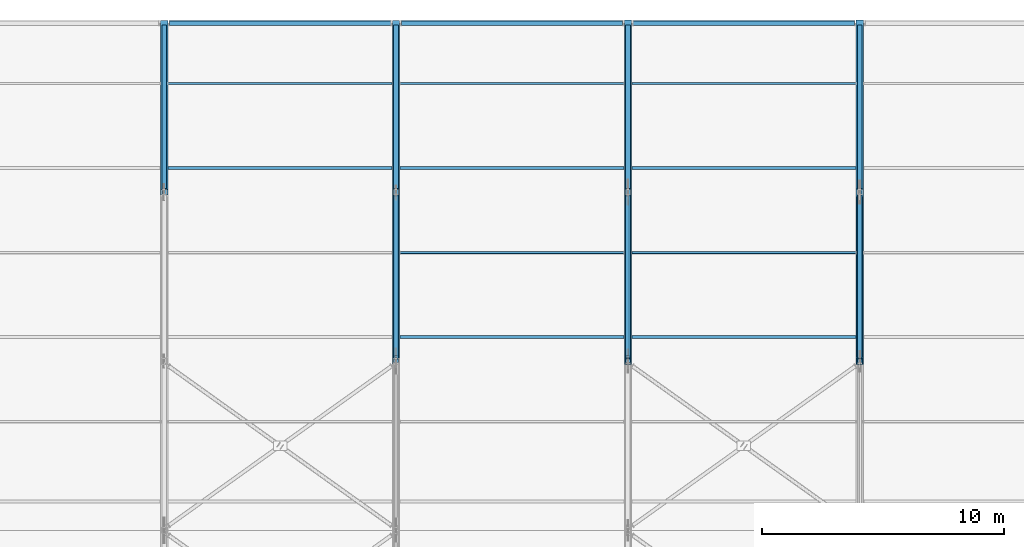
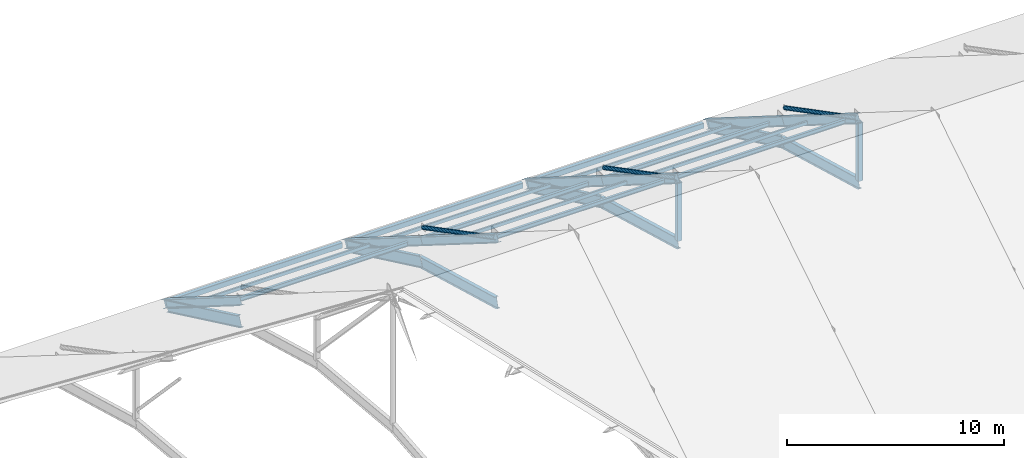
# One storey, part 13 of 66: 22 members, 10 beams.
"""IFC4 building model written with IfcOpenShell, lengths in metres."""

from ifc_helpers import new_model, si_unit, direction, frame, origin, origin_2d, place, context, subcontext, project, spatial, hollow_rectangle, hollow_circle, i_section, extrude, material, material_profile, profile_set, type_object, element, save


model = new_model("IFC4")

# Units and contexts
model_context = context("Model", 3, precision=1e-05, world=origin(), true_north=direction((0.0, 1.0)))
body_context = subcontext(model_context, "Body", "Model", "MODEL_VIEW")
ifc_project = project(units=[si_unit("LENGTHUNIT", "METRE"), si_unit("AREAUNIT", "SQUARE_METRE"), si_unit("VOLUMEUNIT", "CUBIC_METRE"), si_unit("PLANEANGLEUNIT", "RADIAN"), si_unit("MASSUNIT", "GRAM", prefix="KILO")], contexts=[model_context])

# Site, building, storey
site_placement = place(None, origin())
site = spatial("IfcSite", under=ifc_project, at=site_placement, CompositionType="ELEMENT")
building_placement = place(site_placement, origin())
building = spatial("IfcBuilding", under=site, at=building_placement, Name="Yeouljin Market Hall", CompositionType="ELEMENT")
storey_placement = place(building_placement, frame((0.0, 0.0, 23.39990234375)))
storey = spatial("IfcBuildingStorey", under=building, at=storey_placement, Name="RF", CompositionType="ELEMENT", Elevation=23.39990234375)

# Beams
ifc_material_1 = material(Name="Steel SM355", Category="steel")
ifc_material_profile_1 = material_profile(ifc_material_1, i_section(OverallWidth=0.199951171875, OverallDepth=0.60009765625, WebThickness=0.010986328125, FlangeThickness=0.01708984375, FilletRadius=0.02197265625, at=origin_2d()), Name="H-600x200x11x17")
ifc_profile_set_1 = profile_set([ifc_material_profile_1], Name="Steel SM355")
beam_type_1 = type_object("IfcBeamType", Name="Beam_H-600x200x11x17", PredefinedType="BEAM", material=ifc_profile_set_1)
beam_1_placement = place(storey_placement, frame((64.199951171875, 71.02001953125, -9.07763671875), z_axis=(0.0, 0.903192091176, -0.429236585623), x_axis=(-1.0, 0.0, 0.0)))
element("IfcBeam", 1, at=beam_1_placement, inside=storey, type_object=beam_type_1, Name="Truss AT-04 arch rib 6", PredefinedType="BEAM", context=body_context, shape_type="SweptSolid", body=[
    extrude(i_section(OverallWidth=0.199951171875, OverallDepth=0.60009765625, WebThickness=0.010986328125, FlangeThickness=0.01708984375, FilletRadius=0.02197265625, at=origin_2d()), origin(), (0.0, 0.0, 1.0), 7.5068359375),
])
beam_2_placement = place(storey_placement, frame((73.800048828125, 64.02001953125, -7.144287109375), z_axis=(0.0, 0.963516941196, -0.267647350124), x_axis=(-1.0, 0.0, 0.0)))
element("IfcBeam", 2, at=beam_2_placement, inside=storey, type_object=beam_type_1, Name="Truss AT-05 arch rib 5", PredefinedType="BEAM", context=body_context, shape_type="SweptSolid", body=[
    extrude(i_section(OverallWidth=0.199951171875, OverallDepth=0.60009765625, WebThickness=0.010986328125, FlangeThickness=0.01708984375, FilletRadius=0.02197265625, at=origin_2d()), origin(), (0.0, 0.0, 1.0), 7.223388671875),
])
beam_3_placement = place(storey_placement, frame((73.800048828125, 71.02001953125, -9.07763671875), z_axis=(0.0, 0.903192091176, -0.429236585623), x_axis=(-1.0, 0.0, 0.0)))
element("IfcBeam", 3, at=beam_3_placement, inside=storey, type_object=beam_type_1, Name="Truss AT-05 arch rib 6", PredefinedType="BEAM", context=body_context, shape_type="SweptSolid", body=[
    extrude(i_section(OverallWidth=0.199951171875, OverallDepth=0.60009765625, WebThickness=0.010986328125, FlangeThickness=0.01708984375, FilletRadius=0.02197265625, at=origin_2d()), origin(), (0.0, 0.0, 1.0), 7.5068359375),
])
beam_4_placement = place(storey_placement, frame((83.39990234375, 64.02001953125, -7.144287109375), z_axis=(0.0, 0.963516941196, -0.267647350124), x_axis=(-1.0, 0.0, 0.0)))
element("IfcBeam", 4, at=beam_4_placement, inside=storey, type_object=beam_type_1, Name="Truss AT-06 arch rib 5", PredefinedType="BEAM", context=body_context, shape_type="SweptSolid", body=[
    extrude(i_section(OverallWidth=0.199951171875, OverallDepth=0.60009765625, WebThickness=0.010986328125, FlangeThickness=0.01708984375, FilletRadius=0.02197265625, at=origin_2d()), origin(), (0.0, 0.0, 1.0), 7.223388671875),
])
beam_5_placement = place(storey_placement, frame((83.39990234375, 71.02001953125, -9.07763671875), z_axis=(0.0, 0.903192091176, -0.429236585623), x_axis=(-1.0, 0.0, 0.0)))
element("IfcBeam", 5, at=beam_5_placement, inside=storey, type_object=beam_type_1, Name="Truss AT-06 arch rib 6", PredefinedType="BEAM", context=body_context, shape_type="SweptSolid", body=[
    extrude(i_section(OverallWidth=0.199951171875, OverallDepth=0.60009765625, WebThickness=0.010986328125, FlangeThickness=0.01708984375, FilletRadius=0.02197265625, at=origin_2d()), origin(), (0.0, 0.0, 1.0), 7.5068359375),
])
beam_6_placement = place(storey_placement, frame((93.0, 64.02001953125, -7.144287109375), z_axis=(0.0, 0.963516941196, -0.267647350124), x_axis=(-1.0, 0.0, 0.0)))
element("IfcBeam", 6, at=beam_6_placement, inside=storey, type_object=beam_type_1, Name="Truss AT-07 arch rib 5", PredefinedType="BEAM", context=body_context, shape_type="SweptSolid", body=[
    extrude(i_section(OverallWidth=0.199951171875, OverallDepth=0.60009765625, WebThickness=0.010986328125, FlangeThickness=0.01708984375, FilletRadius=0.02197265625, at=origin_2d()), origin(), (0.0, 0.0, 1.0), 7.223388671875),
])
beam_7_placement = place(storey_placement, frame((93.0, 71.02001953125, -9.07763671875), z_axis=(0.0, 0.903192091176, -0.429236585623), x_axis=(-1.0, 0.0, 0.0)))
element("IfcBeam", 7, at=beam_7_placement, inside=storey, type_object=beam_type_1, Name="Truss AT-07 arch rib 6", PredefinedType="BEAM", context=body_context, shape_type="SweptSolid", body=[
    extrude(i_section(OverallWidth=0.199951171875, OverallDepth=0.60009765625, WebThickness=0.010986328125, FlangeThickness=0.01708984375, FilletRadius=0.02197265625, at=origin_2d()), origin(), (0.0, 0.0, 1.0), 7.5068359375),
])
ifc_material_2 = material(Name="Steel SM355", Category="steel")
ifc_material_profile_2 = material_profile(ifc_material_2, hollow_rectangle(XDim=0.199951171875, YDim=0.300048828125, WallThickness=0.009033203125, InnerFilletRadius=0.009033203125, OuterFilletRadius=0.01611328125, at=origin_2d()), Name="RHS-300x200x9")
ifc_profile_set_2 = profile_set([ifc_material_profile_2], Name="Steel SM355")
beam_type_2 = type_object("IfcBeamType", Name="Beam_RHS-300x200x9", PredefinedType="BEAM", material=ifc_profile_set_2)
for number, where, z_axis, x_axis, name in (
    (8, (64.416015625, 78.0, -12.27978515625), (1.0, 0.0, 0.0), (0.0, 1.0, 0.0), "Hall eaves girder N04"),
    (9, (74.01611328125, 78.0, -12.27978515625), (1.0, 0.0, 0.0), (0.0, 1.0, 0.0), "Hall eaves girder N05"),
    (10, (83.615966796875, 78.0, -12.27978515625), (1.0, 0.0, 0.0), (0.0, 1.0, 0.0), "Hall eaves girder N06"),
):
    element("IfcBeam", number, at=place(storey_placement, frame(where, z_axis=z_axis, x_axis=x_axis)), inside=storey, type_object=beam_type_2, Name=name, PredefinedType="BEAM", context=body_context, shape_type="SweptSolid", body=[
        extrude(hollow_rectangle(XDim=0.199951171875, YDim=0.300048828125, WallThickness=0.009033203125, InnerFilletRadius=0.009033203125, OuterFilletRadius=0.01611328125, at=origin_2d()), origin(), (0.0, 0.0, 1.0), 9.16796875),
    ])

# Members
ifc_material_3 = material(Name="Steel SM355", Category="steel")
ifc_material_profile_3 = material_profile(ifc_material_3, hollow_circle(Radius=0.108154296875, WallThickness=0.008056640625, at=origin_2d()), Name="CHS-216.3x8")
ifc_profile_set_3 = profile_set([ifc_material_profile_3], Name="Steel SM355")
member_type_1 = type_object("IfcMemberType", Name="Brace_CHS-216.3x8", PredefinedType="BRACE", material=ifc_profile_set_3)
for number, where, z_axis, x_axis, name in (
    (11, (73.800048828125, 64.195068359375, -3.6015625), (0.0, 0.886995164265, -0.461778711691), (-1.0, 0.0, 0.0), "Truss AT-05 web diagonal 5"),
    (12, (83.39990234375, 64.195068359375, -3.6015625), (0.0, 0.886995164265, -0.461778711691), (-1.0, 0.0, 0.0), "Truss AT-06 web diagonal 5"),
    (13, (93.0, 64.195068359375, -3.6015625), (0.0, 0.886995164265, -0.461778711691), (-1.0, 0.0, 0.0), "Truss AT-07 web diagonal 5"),
):
    element("IfcMember", number, at=place(storey_placement, frame(where, z_axis=z_axis, x_axis=x_axis)), inside=storey, type_object=member_type_1, Name=name, PredefinedType="BRACE", context=body_context, shape_type="SweptSolid", body=[
        extrude(hollow_circle(Radius=0.108154296875, WallThickness=0.008056640625, at=origin_2d()), origin(), (0.0, 0.0, 1.0), 7.451904296875),
    ])
ifc_material_4 = material(Name="Steel SM355", Category="steel")
ifc_material_profile_4 = material_profile(ifc_material_4, i_section(OverallWidth=0.300048828125, OverallDepth=0.43994140625, WebThickness=0.010986328125, FlangeThickness=0.01806640625, FilletRadius=0.02001953125, at=origin_2d()), Name="H-440x300x11x18")
ifc_profile_set_4 = profile_set([ifc_material_profile_4], Name="Steel SM355")
member_type_2 = type_object("IfcMemberType", Name="Chord_H-440x300x11x18", PredefinedType="CHORD", material=ifc_profile_set_4)
for number, where, z_axis, x_axis, name in (
    (14, (64.199951171875, 71.0, -7.89990234375), (0.0, 0.846641870869, -0.53216307885), (-1.0, 0.0, 0.0), "Truss AT-04 top chord 6"),
    (15, (73.800048828125, 64.0, -3.5), (0.0, 0.846641870869, -0.53216307885), (-1.0, 0.0, 0.0), "Truss AT-05 top chord 5"),
    (16, (73.800048828125, 71.0, -7.89990234375), (0.0, 0.846641870869, -0.53216307885), (-1.0, 0.0, 0.0), "Truss AT-05 top chord 6"),
):
    element("IfcMember", number, at=place(storey_placement, frame(where, z_axis=z_axis, x_axis=x_axis)), inside=storey, type_object=member_type_2, Name=name, PredefinedType="CHORD", context=body_context, shape_type="SweptSolid", body=[
        extrude(i_section(OverallWidth=0.300048828125, OverallDepth=0.43994140625, WebThickness=0.010986328125, FlangeThickness=0.01806640625, FilletRadius=0.02001953125, at=origin_2d()), origin(), (0.0, 0.0, 1.0), 8.26806640625),
    ])
ifc_material_5 = material(Name="Steel SM355", Category="steel")
ifc_material_profile_5 = material_profile(ifc_material_5, i_section(OverallWidth=0.300048828125, OverallDepth=0.488037109375, WebThickness=0.010986328125, FlangeThickness=0.01806640625, FilletRadius=0.02197265625, at=origin_2d()), Name="H-488x300x11x18")
ifc_profile_set_5 = profile_set([ifc_material_profile_5], Name="Steel SM355")
member_type_3 = type_object("IfcMemberType", Name="Chord_H-488x300x11x18", PredefinedType="CHORD", material=ifc_profile_set_5)
for number, where, z_axis, x_axis, name in (
    (17, (83.39990234375, 64.0, -3.5), (0.0, 0.846641870869, -0.53216307885), (-1.0, 0.0, 0.0), "Truss AT-06 top chord 5"),
    (18, (83.39990234375, 71.0, -7.89990234375), (0.0, 0.846641870869, -0.53216307885), (-1.0, 0.0, 0.0), "Truss AT-06 top chord 6"),
    (19, (93.0, 64.0, -3.5), (0.0, 0.846641870869, -0.53216307885), (-1.0, 0.0, 0.0), "Truss AT-07 top chord 5"),
    (20, (93.0, 71.0, -7.89990234375), (0.0, 0.846641870869, -0.53216307885), (-1.0, 0.0, 0.0), "Truss AT-07 top chord 6"),
):
    element("IfcMember", number, at=place(storey_placement, frame(where, z_axis=z_axis, x_axis=x_axis)), inside=storey, type_object=member_type_3, Name=name, PredefinedType="CHORD", context=body_context, shape_type="SweptSolid", body=[
        extrude(i_section(OverallWidth=0.300048828125, OverallDepth=0.488037109375, WebThickness=0.010986328125, FlangeThickness=0.01806640625, FilletRadius=0.02197265625, at=origin_2d()), origin(), (0.0, 0.0, 1.0), 8.26806640625),
    ])
ifc_material_6 = material(Name="Steel SM355", Category="steel")
ifc_material_profile_6 = material_profile(ifc_material_6, i_section(OverallWidth=0.125, OverallDepth=0.25, WebThickness=0.006103515625, FlangeThickness=0.009033203125, FilletRadius=0.011962890625, at=origin_2d()), Name="H-250x125x6x9")
ifc_profile_set_6 = profile_set([ifc_material_profile_6], Name="Steel SM355")
member_type_4 = type_object("IfcMemberType", Name="Purlin_H-250x125x6x9", PredefinedType="PURLIN", material=ifc_profile_set_6)
member_1_placement = place(storey_placement, frame((64.365966796875, 72.0, -8.6083984375), z_axis=(1.0, 0.0, 0.0), x_axis=(0.0, 1.0, 0.0)))
element("IfcMember", 21, at=member_1_placement, inside=storey, type_object=member_type_4, Name="Nave roof purlin 047", PredefinedType="PURLIN", context=body_context, shape_type="SweptSolid", body=[
    extrude(i_section(OverallWidth=0.125, OverallDepth=0.25, WebThickness=0.006103515625, FlangeThickness=0.009033203125, FilletRadius=0.011962890625, at=origin_2d()), origin(), (0.0, 0.0, 1.0), 9.26806640625),
])
for number, where, z_axis, x_axis, name in (
    (22, (73.966064453125, 65.0, -4.20849609375), (1.0, 0.0, 0.0), (0.0, 1.0, 0.0), "Nave roof purlin 057"),
    (23, (73.966064453125, 72.0, -8.6083984375), (1.0, 0.0, 0.0), (0.0, 1.0, 0.0), "Nave roof purlin 059"),
):
    element("IfcMember", number, at=place(storey_placement, frame(where, z_axis=z_axis, x_axis=x_axis)), inside=storey, type_object=member_type_4, Name=name, PredefinedType="PURLIN", context=body_context, shape_type="SweptSolid", body=[
        extrude(i_section(OverallWidth=0.125, OverallDepth=0.25, WebThickness=0.006103515625, FlangeThickness=0.009033203125, FilletRadius=0.011962890625, at=origin_2d()), origin(), (0.0, 0.0, 1.0), 9.267822265625),
    ])
for number, where, z_axis, x_axis, name in (
    (24, (83.56591796875, 65.0, -4.20849609375), (1.0, 0.0, 0.0), (0.0, 1.0, 0.0), "Nave roof purlin 069"),
    (25, (83.56591796875, 72.0, -8.6083984375), (1.0, 0.0, 0.0), (0.0, 1.0, 0.0), "Nave roof purlin 071"),
):
    element("IfcMember", number, at=place(storey_placement, frame(where, z_axis=z_axis, x_axis=x_axis)), inside=storey, type_object=member_type_4, Name=name, PredefinedType="PURLIN", context=body_context, shape_type="SweptSolid", body=[
        extrude(i_section(OverallWidth=0.125, OverallDepth=0.25, WebThickness=0.006103515625, FlangeThickness=0.009033203125, FilletRadius=0.011962890625, at=origin_2d()), origin(), (0.0, 0.0, 1.0), 9.26806640625),
    ])
ifc_material_7 = material(Name="Steel SS275", Category="steel")
ifc_material_profile_7 = material_profile(ifc_material_7, hollow_rectangle(XDim=0.10009765625, YDim=0.199951171875, WallThickness=0.006103515625, InnerFilletRadius=0.006103515625, OuterFilletRadius=0.011962890625, at=origin_2d()), Name="RHS-200x100x6")
ifc_profile_set_7 = profile_set([ifc_material_profile_7], Name="Steel SS275")
member_type_5 = type_object("IfcMemberType", Name="Purlin_RHS-200x100x6", PredefinedType="PURLIN", material=ifc_profile_set_7)
member_2_placement = place(storey_placement, frame((64.365966796875, 75.5, -10.80859375), z_axis=(1.0, 0.0, 0.0), x_axis=(0.0, 1.0, 0.0)))
element("IfcMember", 26, at=member_2_placement, inside=storey, type_object=member_type_5, Name="Nave roof purlin 048", PredefinedType="PURLIN", context=body_context, shape_type="SweptSolid", body=[
    extrude(hollow_rectangle(XDim=0.10009765625, YDim=0.199951171875, WallThickness=0.006103515625, InnerFilletRadius=0.006103515625, OuterFilletRadius=0.011962890625, at=origin_2d()), origin(), (0.0, 0.0, 1.0), 9.26806640625),
])
for number, where, z_axis, x_axis, name in (
    (27, (73.966064453125, 68.5, -6.408447265625), (1.0, 0.0, 0.0), (0.0, 1.0, 0.0), "Nave roof purlin 058"),
    (28, (73.966064453125, 75.5, -10.80859375), (1.0, 0.0, 0.0), (0.0, 1.0, 0.0), "Nave roof purlin 060"),
):
    element("IfcMember", number, at=place(storey_placement, frame(where, z_axis=z_axis, x_axis=x_axis)), inside=storey, type_object=member_type_5, Name=name, PredefinedType="PURLIN", context=body_context, shape_type="SweptSolid", body=[
        extrude(hollow_rectangle(XDim=0.10009765625, YDim=0.199951171875, WallThickness=0.006103515625, InnerFilletRadius=0.006103515625, OuterFilletRadius=0.011962890625, at=origin_2d()), origin(), (0.0, 0.0, 1.0), 9.267822265625),
    ])
for number, where, z_axis, x_axis, name in (
    (29, (83.56591796875, 68.5, -6.408447265625), (1.0, 0.0, 0.0), (0.0, 1.0, 0.0), "Nave roof purlin 070"),
    (30, (83.56591796875, 75.5, -10.80859375), (1.0, 0.0, 0.0), (0.0, 1.0, 0.0), "Nave roof purlin 072"),
):
    element("IfcMember", number, at=place(storey_placement, frame(where, z_axis=z_axis, x_axis=x_axis)), inside=storey, type_object=member_type_5, Name=name, PredefinedType="PURLIN", context=body_context, shape_type="SweptSolid", body=[
        extrude(hollow_rectangle(XDim=0.10009765625, YDim=0.199951171875, WallThickness=0.006103515625, InnerFilletRadius=0.006103515625, OuterFilletRadius=0.011962890625, at=origin_2d()), origin(), (0.0, 0.0, 1.0), 9.26806640625),
    ])
ifc_material_8 = material(Name="Steel SM355", Category="steel")
ifc_material_profile_8 = material_profile(ifc_material_8, hollow_rectangle(XDim=0.25, YDim=0.25, WallThickness=0.009033203125, InnerFilletRadius=0.009033203125, OuterFilletRadius=0.01611328125, at=origin_2d()), Name="SHS-250x250x9")
ifc_profile_set_8 = profile_set([ifc_material_profile_8], Name="Steel SM355")
member_type_6 = type_object("IfcMemberType", Name="Strut_SHS-250x250x9", PredefinedType="STRUT", material=ifc_profile_set_8)
for number, where, z_axis, x_axis, name in (
    (31, (83.39990234375, 64.0, -6.96435546875), (0.0, 0.0, 1.0), (1.0, 0.0, 0.0), "Truss AT-06 vertical strut 4"),
    (32, (93.0, 64.0, -6.96435546875), (0.0, 0.0, 1.0), (1.0, 0.0, 0.0), "Truss AT-07 vertical strut 4"),
):
    element("IfcMember", number, at=place(storey_placement, frame(where, z_axis=z_axis, x_axis=x_axis)), inside=storey, type_object=member_type_6, Name=name, PredefinedType="STRUT", context=body_context, shape_type="SweptSolid", body=[
        extrude(hollow_rectangle(XDim=0.25, YDim=0.25, WallThickness=0.009033203125, InnerFilletRadius=0.009033203125, OuterFilletRadius=0.01611328125, at=origin_2d()), origin(), (0.0, 0.0, 1.0), 3.284423828125),
    ])

save(model, "model.ifc")
